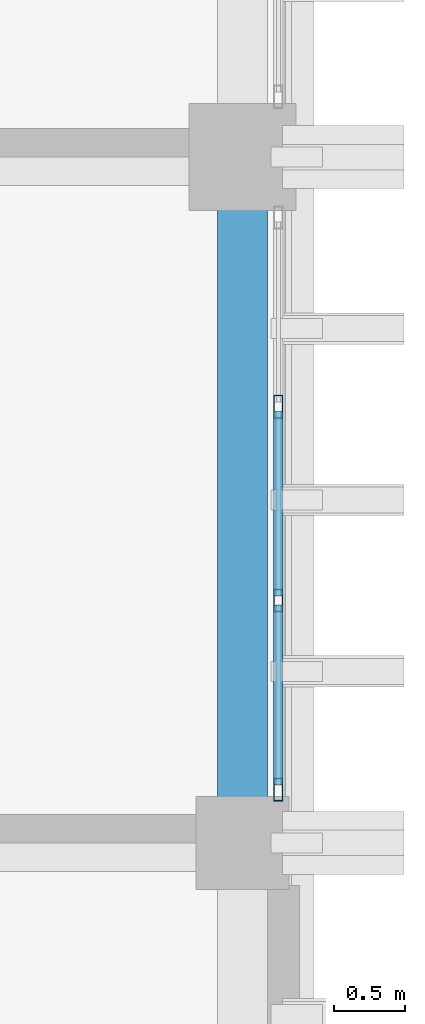
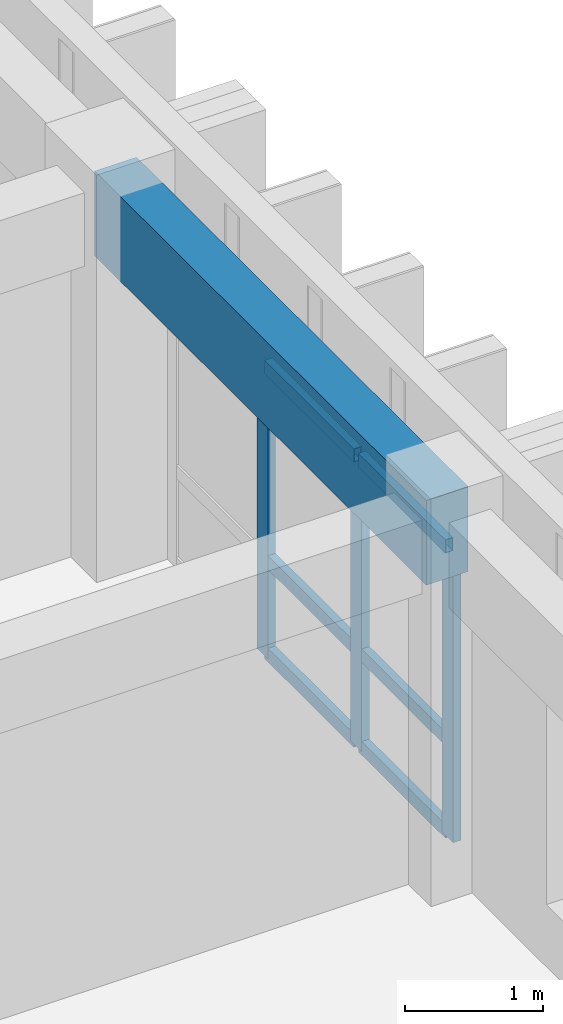
# One storey, part 40 of 64: 9 members, 1 beam, 1 element without a shape of its own.
"""IFC4 building model written with IfcOpenShell, lengths in metres."""

from ifc_helpers import new_model, si_unit, direction, frame, origin, origin_2d, place, context, subcontext, project, spatial, rectangle, hollow_rectangle, extrude, material, layer, layer_set, material_profile, profile_set, type_object, element, aggregate, save


model = new_model("IFC4")

# Units and contexts
model_context = context("Model", 3, precision=1e-05, world=origin(), true_north=direction((0.0, 1.0)))
body_context = subcontext(model_context, "Body", "Model", "MODEL_VIEW")
ifc_project = project(units=[si_unit("LENGTHUNIT", "METRE"), si_unit("AREAUNIT", "SQUARE_METRE"), si_unit("VOLUMEUNIT", "CUBIC_METRE"), si_unit("PLANEANGLEUNIT", "RADIAN"), si_unit("MASSUNIT", "GRAM", prefix="KILO")], contexts=[model_context])

# Site, building, storey
site_placement = place(None, origin())
site = spatial("IfcSite", under=ifc_project, at=site_placement, CompositionType="ELEMENT")
building_placement = place(site_placement, origin())
building = spatial("IfcBuilding", under=site, at=building_placement, Name="Nakhvara Creek Congress Hotel", CompositionType="ELEMENT")
storey_placement = place(building_placement, frame((0.0, 0.0, 28.199951171875)))
storey = spatial("IfcBuildingStorey", under=building, at=storey_placement, Name="L06", CompositionType="ELEMENT", Elevation=28.199951171875)

# Beam
ifc_material_1 = material(Name="Concrete C40/50", Category="concrete")
ifc_material_profile_1 = material_profile(ifc_material_1, rectangle(XDim=0.35009765625, YDim=0.75, at=origin_2d()), Name="RC-SPANDREL 350x750", Category="LoadBearing")
ifc_profile_set_1 = profile_set([ifc_material_profile_1], Name="Concrete C40/50")
beam_type = type_object("IfcBeamType", Name="BM-SPN-350X750", PredefinedType="SPANDREL", material=ifc_profile_set_1)
beam_placement = place(storey_placement, frame((179.35009765625, 110.39990234375, 2.965087890625), z_axis=(0.0, 1.0, 0.0), x_axis=(-1.0, 0.0, 0.0)))
element("IfcBeam", 1, at=beam_placement, inside=storey, type_object=beam_type, Name="Beam SP1-L06-2290", PredefinedType="SPANDREL", context=body_context, shape_type="SweptSolid", body=[
    extrude(rectangle(XDim=0.35009765625, YDim=0.75, at=origin_2d()), origin(), (0.0, 0.0, 1.0), 4.800048828125),
])

# Curtain wall, members
ifc_material_2 = material(Name="Bronze-anodised aluminium AW-6063-T6 and double-silver low-E glass", Category="aluminium")
ifc_layer = layer(ifc_material_2, 0.199951171875)
ifc_layer_set = layer_set([ifc_layer], Name="Bronze-anodised aluminium AW-6063-T6 and double-silver low-E glass")
curtain_wall_type = type_object("IfcCurtainWallType", Name="CW-HTL-UNIT", PredefinedType="USERDEFINED", material=ifc_layer_set)
curtain_wall_placement = place(storey_placement, origin())
curtain_wall = element("IfcCurtainWall", 2, at=curtain_wall_placement, inside=storey, type_object=curtain_wall_type, Name="Curtain Wall CW249", ObjectType="UNITISED", PredefinedType="USERDEFINED")
ifc_material_3 = material(Name="Bronze-anodised aluminium AW-6063-T6", Category="aluminium")
ifc_material_profile_2 = material_profile(ifc_material_3, hollow_rectangle(XDim=0.06494140625, YDim=0.159912109375, WallThickness=0.00390625, at=origin_2d()), Name="ALU-MULL 65x160x4", Category="LoadBearing")
ifc_profile_set_2 = profile_set([ifc_material_profile_2], Name="Bronze-anodised aluminium AW-6063-T6")
member_type_1 = type_object("IfcMemberType", Name="CW-MULL-160", PredefinedType="MULLION", material=ifc_profile_set_2)
member_1_placement = place(storey_placement, frame((179.60009765625, 113.453369140625, 0.0), z_axis=(0.0, 0.0, 1.0), x_axis=(1.0, 0.0, 0.0)))
member_1 = element("IfcMember", 3, at=member_1_placement, type_object=member_type_1, Name="CW249 mullion 2", PredefinedType="MULLION", context=body_context, shape_type="SweptSolid", body=[
    extrude(hollow_rectangle(XDim=0.06494140625, YDim=0.159912109375, WallThickness=0.00390625, at=origin_2d()), origin(), (0.0, 0.0, 1.0), 2.58203125),
])
member_2_placement = place(storey_placement, frame((179.60009765625, 112.0966796875, 0.0), z_axis=(0.0, 0.0, 1.0), x_axis=(1.0, 0.0, 0.0)))
member_2 = element("IfcMember", 4, at=member_2_placement, type_object=member_type_1, Name="CW249 mullion 3", PredefinedType="MULLION", context=body_context, shape_type="SweptSolid", body=[
    extrude(hollow_rectangle(XDim=0.06494140625, YDim=0.159912109375, WallThickness=0.00390625, at=origin_2d()), origin(), (0.0, 0.0, 1.0), 2.58203125),
])
member_3_placement = place(storey_placement, frame((179.60009765625, 110.7724609375, 0.0), z_axis=(0.0, 0.0, 1.0), x_axis=(1.0, 0.0, 0.0)))
member_3 = element("IfcMember", 5, at=member_3_placement, type_object=member_type_1, Name="CW249 mullion 4", PredefinedType="MULLION", context=body_context, shape_type="SweptSolid", body=[
    extrude(hollow_rectangle(XDim=0.06494140625, YDim=0.159912109375, WallThickness=0.00390625, at=origin_2d()), origin(), (0.0, 0.0, 1.0), 2.58203125),
])
ifc_material_profile_3 = material_profile(ifc_material_3, hollow_rectangle(XDim=0.06494140625, YDim=0.1201171875, WallThickness=0.00390625, at=origin_2d()), Name="ALU-TRAN 65x120x4", Category="LoadBearing")
ifc_profile_set_3 = profile_set([ifc_material_profile_3], Name="Bronze-anodised aluminium AW-6063-T6")
member_type_2 = type_object("IfcMemberType", Name="CW-TRAN-120", PredefinedType="USERDEFINED", material=ifc_profile_set_3)
member_4_placement = place(storey_placement, frame((179.60009765625, 113.4208984375, 0.032470703125), z_axis=(0.0, -1.0, 0.0), x_axis=(1.0, 0.0, 0.0)))
member_4 = element("IfcMember", 6, at=member_4_placement, type_object=member_type_2, Name="CW249 transom 2.1", ObjectType="TRANSOM", PredefinedType="USERDEFINED", context=body_context, shape_type="SweptSolid", body=[
    extrude(hollow_rectangle(XDim=0.06494140625, YDim=0.1201171875, WallThickness=0.00390625, at=origin_2d()), origin(), (0.0, 0.0, 1.0), 1.291748046875),
])
member_5_placement = place(storey_placement, frame((179.60009765625, 113.4208984375, 0.85009765625), z_axis=(0.0, -1.0, 0.0), x_axis=(1.0, 0.0, 0.0)))
member_5 = element("IfcMember", 7, at=member_5_placement, type_object=member_type_2, Name="CW249 transom 2.2", ObjectType="TRANSOM", PredefinedType="USERDEFINED", context=body_context, shape_type="SweptSolid", body=[
    extrude(hollow_rectangle(XDim=0.06494140625, YDim=0.1201171875, WallThickness=0.00390625, at=origin_2d()), origin(), (0.0, 0.0, 1.0), 1.291748046875),
])
member_6_placement = place(storey_placement, frame((179.60009765625, 113.4208984375, 2.549560546875), z_axis=(0.0, -1.0, 0.0), x_axis=(1.0, 0.0, 0.0)))
member_6 = element("IfcMember", 8, at=member_6_placement, type_object=member_type_2, Name="CW249 transom 2.3", ObjectType="TRANSOM", PredefinedType="USERDEFINED", context=body_context, shape_type="SweptSolid", body=[
    extrude(hollow_rectangle(XDim=0.06494140625, YDim=0.1201171875, WallThickness=0.00390625, at=origin_2d()), origin(), (0.0, 0.0, 1.0), 1.291748046875),
])
member_7_placement = place(storey_placement, frame((179.60009765625, 112.064208984375, 0.032470703125), z_axis=(0.0, -1.0, 0.0), x_axis=(1.0, 0.0, 0.0)))
member_7 = element("IfcMember", 9, at=member_7_placement, type_object=member_type_2, Name="CW249 transom 3.1", ObjectType="TRANSOM", PredefinedType="USERDEFINED", context=body_context, shape_type="SweptSolid", body=[
    extrude(hollow_rectangle(XDim=0.06494140625, YDim=0.1201171875, WallThickness=0.00390625, at=origin_2d()), origin(), (0.0, 0.0, 1.0), 1.25927734375),
])
member_8_placement = place(storey_placement, frame((179.60009765625, 112.064208984375, 0.85009765625), z_axis=(0.0, -1.0, 0.0), x_axis=(1.0, 0.0, 0.0)))
member_8 = element("IfcMember", 10, at=member_8_placement, type_object=member_type_2, Name="CW249 transom 3.2", ObjectType="TRANSOM", PredefinedType="USERDEFINED", context=body_context, shape_type="SweptSolid", body=[
    extrude(hollow_rectangle(XDim=0.06494140625, YDim=0.1201171875, WallThickness=0.00390625, at=origin_2d()), origin(), (0.0, 0.0, 1.0), 1.25927734375),
])
member_9_placement = place(storey_placement, frame((179.60009765625, 112.064208984375, 2.549560546875), z_axis=(0.0, -1.0, 0.0), x_axis=(1.0, 0.0, 0.0)))
member_9 = element("IfcMember", 11, at=member_9_placement, type_object=member_type_2, Name="CW249 transom 3.3", ObjectType="TRANSOM", PredefinedType="USERDEFINED", context=body_context, shape_type="SweptSolid", body=[
    extrude(hollow_rectangle(XDim=0.06494140625, YDim=0.1201171875, WallThickness=0.00390625, at=origin_2d()), origin(), (0.0, 0.0, 1.0), 1.25927734375),
])
aggregate(curtain_wall, [member_1, member_2, member_3, member_4, member_5, member_6, member_7, member_8, member_9])

save(model, "model.ifc")
